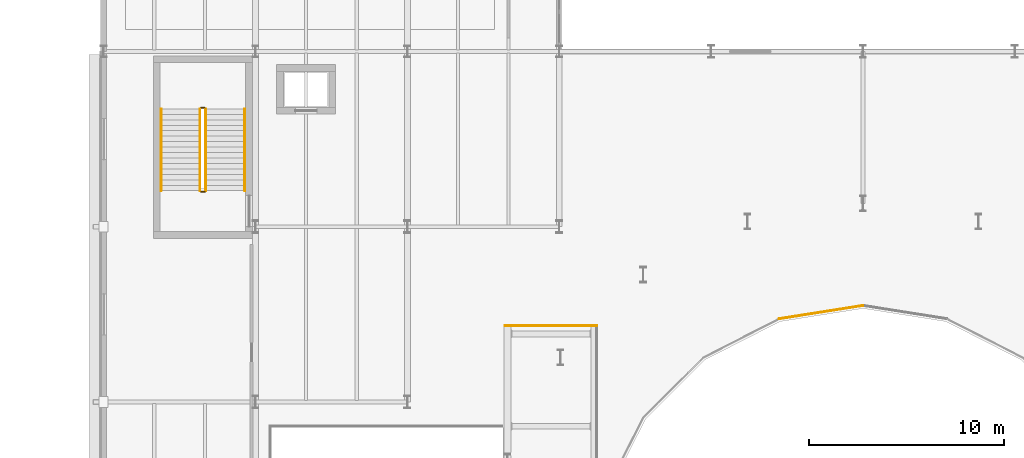
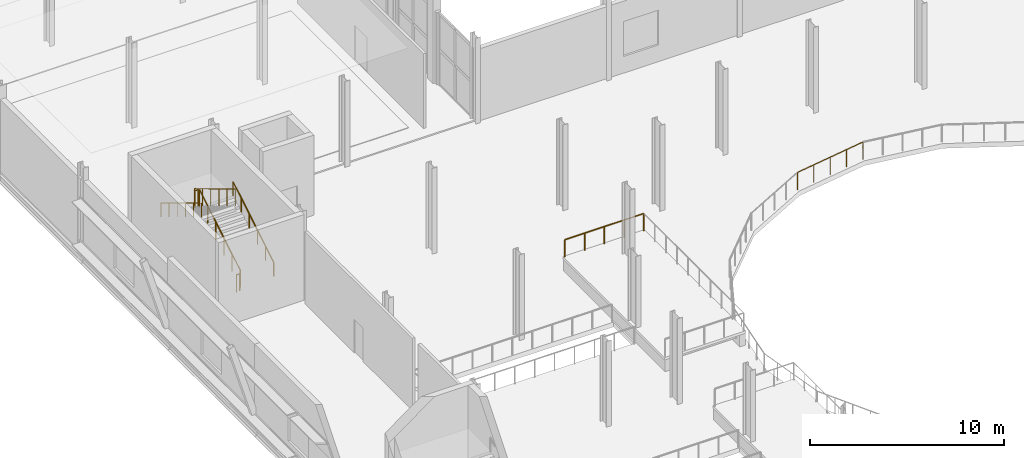
# One storey, part 64 of 78: 8 railings.
"""IFC4 building model written with IfcOpenShell, lengths in metres."""

from ifc_helpers import new_model, si_unit, direction, frame, origin, origin_2d, place, context, subcontext, project, spatial, circle, extrude, material, type_object, element, save


model = new_model("IFC4")

# Units and contexts
model_context = context("Model", 3, precision=1e-05, world=origin(), true_north=direction((0.0, 1.0)))
body_context = subcontext(model_context, "Body", "Model", "MODEL_VIEW")
ifc_project = project(units=[si_unit("LENGTHUNIT", "METRE"), si_unit("AREAUNIT", "SQUARE_METRE"), si_unit("VOLUMEUNIT", "CUBIC_METRE"), si_unit("PLANEANGLEUNIT", "RADIAN"), si_unit("MASSUNIT", "GRAM", prefix="KILO")], contexts=[model_context])

# Site, building, storey
site_placement = place(None, origin())
site = spatial("IfcSite", under=ifc_project, at=site_placement, CompositionType="ELEMENT")
building_placement = place(site_placement, origin())
building = spatial("IfcBuilding", under=site, at=building_placement, Name="Sefraquen Railside Congress Hotel", CompositionType="ELEMENT")
storey_placement = place(building_placement, frame((0.0, 0.0, 6.0)))
storey = spatial("IfcBuildingStorey", under=building, at=storey_placement, Name="L01", CompositionType="ELEMENT", Elevation=6.0)

# Railings
ifc_material = material(Name="Patinated wrought architectural bronze", Category="metal")
railing_type_1 = type_object("IfcRailingType", Name="TRL-BAL-110", PredefinedType="BALUSTRADE", material=ifc_material)
railing_1_placement = place(storey_placement, frame((64.199951171875, 40.949951171875, 0.0)))
element("IfcRailing", 1, at=railing_1_placement, inside=storey, type_object=railing_type_1, Name="Congress Hall L01 balcony bowl balustrade", PredefinedType="BALUSTRADE", context=body_context, shape_type="SweptSolid", body=[
    extrude(circle(Radius=0.02392578125, at=origin_2d()), frame((0.0, 0.0, 1.09619140625), z_axis=(-0.987684831918, -0.156456616349, 0.0), x_axis=(0.156456616349, -0.987684831918, 0.0)), (0.0, 0.0, 1.0), 4.364501953125),
    extrude(circle(Radius=0.02099609375, at=origin_2d()), origin(), (0.0, 0.0, 1.0), 1.072021484375),
    extrude(circle(Radius=0.02099609375, at=origin_2d()), frame((-1.07763671875, -0.170654296875, 0.0)), (0.0, 0.0, 1.0), 1.072021484375),
    extrude(circle(Radius=0.02099609375, at=origin_2d()), frame((-2.1552734375, -0.34130859375, 0.0)), (0.0, 0.0, 1.0), 1.072021484375),
    extrude(circle(Radius=0.02099609375, at=origin_2d()), frame((-3.233154296875, -0.51220703125, 0.0)), (0.0, 0.0, 1.0), 1.072021484375),
    extrude(circle(Radius=0.02099609375, at=origin_2d()), frame((-4.310791015625, -0.682861328125, 0.0)), (0.0, 0.0, 1.0), 1.072021484375),
])
railing_2_placement = place(storey_placement, frame((50.52001953125, 39.919921875, 0.89990234375)))
element("IfcRailing", 2, at=railing_2_placement, inside=storey, type_object=railing_type_1, Name="Congress balcony tier 2 front guard", PredefinedType="BALUSTRADE", context=body_context, shape_type="SweptSolid", body=[
    extrude(circle(Radius=0.02392578125, at=origin_2d()), frame((0.0, 0.0, 1.09619140625), z_axis=(-1.0, 0.0, 0.0), x_axis=(0.0, -1.0, 0.0)), (0.0, 0.0, 1.0), 4.699951171875),
    extrude(circle(Radius=0.02099609375, at=origin_2d()), origin(), (0.0, 0.0, 1.0), 1.072021484375),
    extrude(circle(Radius=0.02099609375, at=origin_2d()), frame((-1.175048828125, 0.0, 0.0)), (0.0, 0.0, 1.0), 1.072021484375),
    extrude(circle(Radius=0.02099609375, at=origin_2d()), frame((-2.35009765625, 0.0, 0.0)), (0.0, 0.0, 1.0), 1.072021484375),
    extrude(circle(Radius=0.02099609375, at=origin_2d()), frame((-3.52490234375, 0.0, 0.0)), (0.0, 0.0, 1.0), 1.072021484375),
    extrude(circle(Radius=0.02099609375, at=origin_2d()), frame((-4.699951171875, 0.0, 0.0)), (0.0, 0.0, 1.0), 1.072021484375),
])
railing_3_placement = place(storey_placement, frame((30.449951171875, 46.85009765625, 0.168701171875)))
element("IfcRailing", 3, at=railing_3_placement, inside=storey, type_object=railing_type_1, Name="L01 ST-C02 stair guard 1", PredefinedType="BALUSTRADE", context=body_context, shape_type="SweptSolid", body=[
    extrude(circle(Radius=0.02392578125, at=origin_2d()), frame((0.0, 0.0, 1.076171875), z_axis=(0.0, 0.856476492594, 0.516186030065), x_axis=(-1.0, 0.0, 0.0)), (0.0, 0.0, 1.0), 4.90380859375),
    extrude(circle(Radius=0.02099609375, at=origin_2d()), origin(), (0.0, 0.0, 1.0), 1.052001953125),
    extrude(circle(Radius=0.02099609375, at=origin_2d()), frame((0.0, 0.840087890625, 0.50634765625)), (0.0, 0.0, 1.0), 1.052001953125),
    extrude(circle(Radius=0.02099609375, at=origin_2d()), frame((0.0, 1.679931640625, 1.012451171875)), (0.0, 0.0, 1.0), 1.052001953125),
    extrude(circle(Radius=0.02099609375, at=origin_2d()), frame((0.0, 2.52001953125, 1.518798828125)), (0.0, 0.0, 1.0), 1.052001953125),
    extrude(circle(Radius=0.02099609375, at=origin_2d()), frame((0.0, 3.35986328125, 2.02490234375)), (0.0, 0.0, 1.0), 1.052001953125),
    extrude(circle(Radius=0.02099609375, at=origin_2d()), frame((0.0, 4.199951171875, 2.53125)), (0.0, 0.0, 1.0), 1.052001953125),
])
railing_4_placement = place(storey_placement, frame((30.39990234375, 51.10009765625, 2.699951171875)))
element("IfcRailing", 4, at=railing_4_placement, inside=storey, type_object=railing_type_1, Name="L01 ST-C02 stair guard 2", PredefinedType="BALUSTRADE", context=body_context, shape_type="SweptSolid", body=[
    extrude(circle(Radius=0.02392578125, at=origin_2d()), frame((0.0, 0.0, 1.076171875), z_axis=(-1.0, 0.0, 0.0), x_axis=(0.0, -1.0, 0.0)), (0.0, 0.0, 1.0), 0.199951171875),
    extrude(circle(Radius=0.02099609375, at=origin_2d()), origin(), (0.0, 0.0, 1.0), 1.052001953125),
    extrude(circle(Radius=0.02099609375, at=origin_2d()), frame((-0.199951171875, 0.0, 0.0)), (0.0, 0.0, 1.0), 1.052001953125),
])
railing_5_placement = place(storey_placement, frame((30.14990234375, 51.050048828125, 2.86865234375)))
element("IfcRailing", 5, at=railing_5_placement, inside=storey, type_object=railing_type_1, Name="L01 ST-C02 stair guard 3", PredefinedType="BALUSTRADE", context=body_context, shape_type="SweptSolid", body=[
    extrude(circle(Radius=0.02392578125, at=origin_2d()), frame((0.0, 0.0, 1.076171875), z_axis=(0.0, -0.856476492594, 0.516186030065), x_axis=(1.0, 0.0, 0.0)), (0.0, 0.0, 1.0), 4.90380859375),
    extrude(circle(Radius=0.02099609375, at=origin_2d()), origin(), (0.0, 0.0, 1.0), 1.052001953125),
    extrude(circle(Radius=0.02099609375, at=origin_2d()), frame((0.0, -0.840087890625, 0.50634765625)), (0.0, 0.0, 1.0), 1.052001953125),
    extrude(circle(Radius=0.02099609375, at=origin_2d()), frame((0.0, -1.679931640625, 1.012451171875)), (0.0, 0.0, 1.0), 1.052001953125),
    extrude(circle(Radius=0.02099609375, at=origin_2d()), frame((0.0, -2.52001953125, 1.518798828125)), (0.0, 0.0, 1.0), 1.052001953125),
    extrude(circle(Radius=0.02099609375, at=origin_2d()), frame((0.0, -3.35986328125, 2.02490234375)), (0.0, 0.0, 1.0), 1.052001953125),
    extrude(circle(Radius=0.02099609375, at=origin_2d()), frame((0.0, -4.199951171875, 2.53125)), (0.0, 0.0, 1.0), 1.052001953125),
])
railing_6_placement = place(storey_placement, frame((30.39990234375, 46.800048828125, 0.0)))
element("IfcRailing", 6, at=railing_6_placement, inside=storey, type_object=railing_type_1, Name="L01 ST-C02 stair guard 4", PredefinedType="BALUSTRADE", context=body_context, shape_type="SweptSolid", body=[
    extrude(circle(Radius=0.02392578125, at=origin_2d()), frame((0.0, 0.0, 1.076171875), z_axis=(-1.0, 0.0, 0.0), x_axis=(0.0, -1.0, 0.0)), (0.0, 0.0, 1.0), 0.199951171875),
    extrude(circle(Radius=0.02099609375, at=origin_2d()), origin(), (0.0, 0.0, 1.0), 1.052001953125),
    extrude(circle(Radius=0.02099609375, at=origin_2d()), frame((-0.199951171875, 0.0, 0.0)), (0.0, 0.0, 1.0), 1.052001953125),
])
railing_type_2 = type_object("IfcRailingType", Name="TRL-HR-090", PredefinedType="HANDRAIL", material=ifc_material)
railing_7_placement = place(storey_placement, frame((32.449951171875, 46.85009765625, 0.168701171875)))
element("IfcRailing", 7, at=railing_7_placement, inside=storey, type_object=railing_type_2, Name="L01 ST-C02 stair handrail 1", PredefinedType="HANDRAIL", context=body_context, shape_type="SweptSolid", body=[
    extrude(circle(Radius=0.02392578125, at=origin_2d()), frame((0.0, 0.0, 0.8759765625), z_axis=(0.0, 0.856476492594, 0.516186030065), x_axis=(-1.0, 0.0, 0.0)), (0.0, 0.0, 1.0), 4.90380859375),
    extrude(circle(Radius=0.02099609375, at=origin_2d()), origin(), (0.0, 0.0, 1.0), 0.851806640625),
    extrude(circle(Radius=0.02099609375, at=origin_2d()), frame((0.0, 0.840087890625, 0.50634765625)), (0.0, 0.0, 1.0), 0.851806640625),
    extrude(circle(Radius=0.02099609375, at=origin_2d()), frame((0.0, 1.679931640625, 1.012451171875)), (0.0, 0.0, 1.0), 0.851806640625),
    extrude(circle(Radius=0.02099609375, at=origin_2d()), frame((0.0, 2.52001953125, 1.518798828125)), (0.0, 0.0, 1.0), 0.851806640625),
    extrude(circle(Radius=0.02099609375, at=origin_2d()), frame((0.0, 3.35986328125, 2.02490234375)), (0.0, 0.0, 1.0), 0.851806640625),
    extrude(circle(Radius=0.02099609375, at=origin_2d()), frame((0.0, 4.199951171875, 2.53125)), (0.0, 0.0, 1.0), 0.851806640625),
])
railing_8_placement = place(storey_placement, frame((28.14990234375, 51.050048828125, 2.86865234375)))
element("IfcRailing", 8, at=railing_8_placement, inside=storey, type_object=railing_type_2, Name="L01 ST-C02 stair handrail 2", PredefinedType="HANDRAIL", context=body_context, shape_type="SweptSolid", body=[
    extrude(circle(Radius=0.02392578125, at=origin_2d()), frame((0.0, 0.0, 0.8759765625), z_axis=(0.0, -0.856476492594, 0.516186030065), x_axis=(1.0, 0.0, 0.0)), (0.0, 0.0, 1.0), 4.90380859375),
    extrude(circle(Radius=0.02099609375, at=origin_2d()), origin(), (0.0, 0.0, 1.0), 0.851806640625),
    extrude(circle(Radius=0.02099609375, at=origin_2d()), frame((0.0, -0.840087890625, 0.50634765625)), (0.0, 0.0, 1.0), 0.851806640625),
    extrude(circle(Radius=0.02099609375, at=origin_2d()), frame((0.0, -1.679931640625, 1.012451171875)), (0.0, 0.0, 1.0), 0.851806640625),
    extrude(circle(Radius=0.02099609375, at=origin_2d()), frame((0.0, -2.52001953125, 1.518798828125)), (0.0, 0.0, 1.0), 0.851806640625),
    extrude(circle(Radius=0.02099609375, at=origin_2d()), frame((0.0, -3.35986328125, 2.02490234375)), (0.0, 0.0, 1.0), 0.851806640625),
    extrude(circle(Radius=0.02099609375, at=origin_2d()), frame((0.0, -4.199951171875, 2.53125)), (0.0, 0.0, 1.0), 0.851806640625),
])

save(model, "model.ifc")
